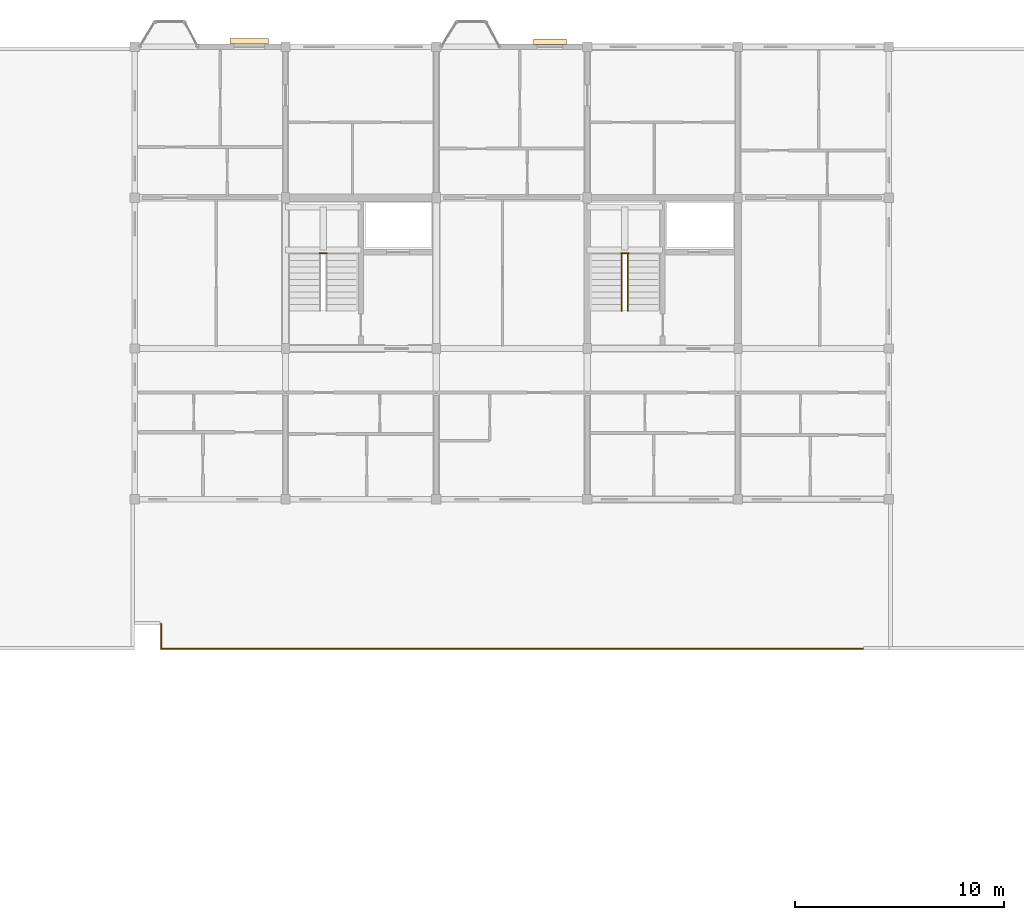
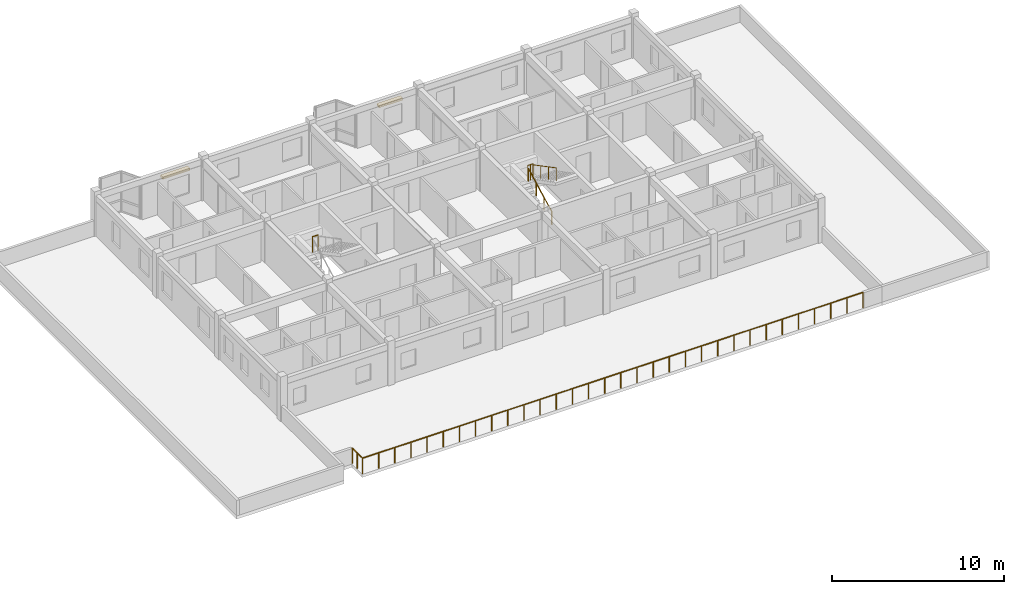
# One storey, part 40 of 40: 5 railings, 2 coverings.
"""IFC4 building model written with IfcOpenShell, lengths in metres."""

from ifc_helpers import new_model, si_unit, direction, frame, origin, origin_2d, place, context, subcontext, project, spatial, rectangle, circle, extrude, material, layer, layer_set, type_object, element, save


model = new_model("IFC4")

# Units and contexts
model_context = context("Model", 3, precision=1e-05, world=origin(), true_north=direction((0.0, 1.0)))
body_context = subcontext(model_context, "Body", "Model", "MODEL_VIEW")
ifc_project = project(units=[si_unit("LENGTHUNIT", "METRE"), si_unit("AREAUNIT", "SQUARE_METRE"), si_unit("VOLUMEUNIT", "CUBIC_METRE"), si_unit("PLANEANGLEUNIT", "RADIAN"), si_unit("MASSUNIT", "GRAM", prefix="KILO"), si_unit("THERMODYNAMICTEMPERATUREUNIT", "KELVIN"), si_unit("POWERUNIT", "WATT")], contexts=[model_context])

# Site, building, storey
site_placement = place(None, origin())
site = spatial("IfcSite", under=ifc_project, at=site_placement, CompositionType="ELEMENT")
building_placement = place(site_placement, origin())
building = spatial("IfcBuilding", under=site, at=building_placement, Name="Tavuni Mirador Residences", CompositionType="ELEMENT")
storey_placement = place(building_placement, frame((0.0, 0.0, 36.0)))
storey = spatial("IfcBuildingStorey", under=building, at=storey_placement, Name="L11", CompositionType="ELEMENT", Elevation=36.0)

# Coverings
ifc_material_1 = material(Name="Natural coral limestone", Category="masonry")
ifc_layer = layer(ifc_material_1, 0.054931640625, Name="Natural coral limestone", Category="masonry")
ifc_layer_set = layer_set([ifc_layer], Name="Natural coral limestone")
covering_type = type_object("IfcCoveringType", Name="CVT-CLAD-CORAL", PredefinedType="CLADDING", material=ifc_layer_set)
covering_1_placement = place(storey_placement, frame((37.822509765625, 173.049560546875, 2.16015625), z_axis=(0.0, 0.0, 1.0), x_axis=(-1.0, 0.0, 0.0)))
element("IfcCovering", 1, at=covering_1_placement, inside=storey, type_object=covering_type, Name="HOOD-0798", PredefinedType="CLADDING", context=body_context, shape_type="SweptSolid", body=[
    extrude(rectangle(XDim=1.580078125, YDim=0.260009765625, at=origin_2d()), origin(), (0.0, 0.0, 1.0), 0.159912109375),
])
covering_2_placement = place(storey_placement, frame((23.472412109375, 173.064453125, 2.16015625), z_axis=(0.0, 0.0, 1.0), x_axis=(-1.0, 0.0, 0.0)))
element("IfcCovering", 2, at=covering_2_placement, inside=storey, type_object=covering_type, Name="HOOD-0799", PredefinedType="CLADDING", context=body_context, shape_type="SweptSolid", body=[
    extrude(rectangle(XDim=1.820068359375, YDim=0.260009765625, at=origin_2d()), origin(), (0.0, 0.0, 1.0), 0.159912109375),
])

# Railings
ifc_material_2 = material(Name="Structural steel S355", Category="steel")
railing_type_1 = type_object("IfcRailingType", Name="RT-GR1120", PredefinedType="GUARDRAIL", material=ifc_material_2)
railing_1_placement = place(storey_placement, frame((19.260009765625, 145.260009765625, 0.0)))
element("IfcRailing", 3, at=railing_1_placement, inside=storey, type_object=railing_type_1, Name="Terrace guard TER-C-L11", PredefinedType="GUARDRAIL", context=body_context, shape_type="SweptSolid", body=[
    extrude(circle(Radius=0.02392578125, at=origin_2d()), frame((0.0, 0.0, 1.09619140625), z_axis=(0.0, -1.0, 0.0), x_axis=(1.0, 0.0, 0.0)), (0.0, 0.0, 1.0), 1.199951171875),
    extrude(circle(Radius=0.02392578125, at=origin_2d()), frame((0.0, -1.199951171875, 1.09619140625), z_axis=(1.0, 0.0, 0.0), x_axis=(0.0, 1.0, 0.0)), (0.0, 0.0, 1.0), 33.510009765625),
    extrude(circle(Radius=0.02099609375, at=origin_2d()), origin(), (0.0, 0.0, 1.0), 1.072021484375),
    extrude(circle(Radius=0.02099609375, at=origin_2d()), frame((0.0, -0.60009765625, 0.0)), (0.0, 0.0, 1.0), 1.072021484375),
    extrude(circle(Radius=0.02099609375, at=origin_2d()), frame((0.0, -1.199951171875, 0.0)), (0.0, 0.0, 1.0), 1.072021484375),
    extrude(circle(Radius=0.02099609375, at=origin_2d()), frame((1.0810546875, -1.199951171875, 0.0)), (0.0, 0.0, 1.0), 1.072021484375),
    extrude(circle(Radius=0.02099609375, at=origin_2d()), frame((2.161865234375, -1.199951171875, 0.0)), (0.0, 0.0, 1.0), 1.072021484375),
    extrude(circle(Radius=0.02099609375, at=origin_2d()), frame((3.242919921875, -1.199951171875, 0.0)), (0.0, 0.0, 1.0), 1.072021484375),
    extrude(circle(Radius=0.02099609375, at=origin_2d()), frame((4.323974609375, -1.199951171875, 0.0)), (0.0, 0.0, 1.0), 1.072021484375),
    extrude(circle(Radius=0.02099609375, at=origin_2d()), frame((5.40478515625, -1.199951171875, 0.0)), (0.0, 0.0, 1.0), 1.072021484375),
    extrude(circle(Radius=0.02099609375, at=origin_2d()), frame((6.48583984375, -1.199951171875, 0.0)), (0.0, 0.0, 1.0), 1.072021484375),
    extrude(circle(Radius=0.02099609375, at=origin_2d()), frame((7.56689453125, -1.199951171875, 0.0)), (0.0, 0.0, 1.0), 1.072021484375),
    extrude(circle(Radius=0.02099609375, at=origin_2d()), frame((8.647705078125, -1.199951171875, 0.0)), (0.0, 0.0, 1.0), 1.072021484375),
    extrude(circle(Radius=0.02099609375, at=origin_2d()), frame((9.728759765625, -1.199951171875, 0.0)), (0.0, 0.0, 1.0), 1.072021484375),
    extrude(circle(Radius=0.02099609375, at=origin_2d()), frame((10.8095703125, -1.199951171875, 0.0)), (0.0, 0.0, 1.0), 1.072021484375),
    extrude(circle(Radius=0.02099609375, at=origin_2d()), frame((11.890625, -1.199951171875, 0.0)), (0.0, 0.0, 1.0), 1.072021484375),
    extrude(circle(Radius=0.02099609375, at=origin_2d()), frame((12.9716796875, -1.199951171875, 0.0)), (0.0, 0.0, 1.0), 1.072021484375),
    extrude(circle(Radius=0.02099609375, at=origin_2d()), frame((14.052490234375, -1.199951171875, 0.0)), (0.0, 0.0, 1.0), 1.072021484375),
    extrude(circle(Radius=0.02099609375, at=origin_2d()), frame((15.133544921875, -1.199951171875, 0.0)), (0.0, 0.0, 1.0), 1.072021484375),
    extrude(circle(Radius=0.02099609375, at=origin_2d()), frame((16.214599609375, -1.199951171875, 0.0)), (0.0, 0.0, 1.0), 1.072021484375),
    extrude(circle(Radius=0.02099609375, at=origin_2d()), frame((17.29541015625, -1.199951171875, 0.0)), (0.0, 0.0, 1.0), 1.072021484375),
    extrude(circle(Radius=0.02099609375, at=origin_2d()), frame((18.37646484375, -1.199951171875, 0.0)), (0.0, 0.0, 1.0), 1.072021484375),
    extrude(circle(Radius=0.02099609375, at=origin_2d()), frame((19.45751953125, -1.199951171875, 0.0)), (0.0, 0.0, 1.0), 1.072021484375),
    extrude(circle(Radius=0.02099609375, at=origin_2d()), frame((20.538330078125, -1.199951171875, 0.0)), (0.0, 0.0, 1.0), 1.072021484375),
    extrude(circle(Radius=0.02099609375, at=origin_2d()), frame((21.619384765625, -1.199951171875, 0.0)), (0.0, 0.0, 1.0), 1.072021484375),
    extrude(circle(Radius=0.02099609375, at=origin_2d()), frame((22.700439453125, -1.199951171875, 0.0)), (0.0, 0.0, 1.0), 1.072021484375),
    extrude(circle(Radius=0.02099609375, at=origin_2d()), frame((23.78125, -1.199951171875, 0.0)), (0.0, 0.0, 1.0), 1.072021484375),
    extrude(circle(Radius=0.02099609375, at=origin_2d()), frame((24.8623046875, -1.199951171875, 0.0)), (0.0, 0.0, 1.0), 1.072021484375),
    extrude(circle(Radius=0.02099609375, at=origin_2d()), frame((25.943115234375, -1.199951171875, 0.0)), (0.0, 0.0, 1.0), 1.072021484375),
    extrude(circle(Radius=0.02099609375, at=origin_2d()), frame((27.024169921875, -1.199951171875, 0.0)), (0.0, 0.0, 1.0), 1.072021484375),
    extrude(circle(Radius=0.02099609375, at=origin_2d()), frame((28.105224609375, -1.199951171875, 0.0)), (0.0, 0.0, 1.0), 1.072021484375),
    extrude(circle(Radius=0.02099609375, at=origin_2d()), frame((29.18603515625, -1.199951171875, 0.0)), (0.0, 0.0, 1.0), 1.072021484375),
    extrude(circle(Radius=0.02099609375, at=origin_2d()), frame((30.26708984375, -1.199951171875, 0.0)), (0.0, 0.0, 1.0), 1.072021484375),
    extrude(circle(Radius=0.02099609375, at=origin_2d()), frame((31.34814453125, -1.199951171875, 0.0)), (0.0, 0.0, 1.0), 1.072021484375),
    extrude(circle(Radius=0.02099609375, at=origin_2d()), frame((32.428955078125, -1.199951171875, 0.0)), (0.0, 0.0, 1.0), 1.072021484375),
    extrude(circle(Radius=0.02099609375, at=origin_2d()), frame((33.510009765625, -1.199951171875, 0.0)), (0.0, 0.0, 1.0), 1.072021484375),
])
railing_2_placement = place(storey_placement, frame((26.820068359375, 162.93994140625, 1.574951171875)))
element("IfcRailing", 4, at=railing_2_placement, inside=storey, type_object=railing_type_1, Name="GRD-HL-ST5-L11", PredefinedType="GUARDRAIL", context=body_context, shape_type="SweptSolid", body=[
    extrude(circle(Radius=0.02392578125, at=origin_2d()), frame((0.0, 0.0, 1.09619140625), z_axis=(1.0, 0.0, 0.0), x_axis=(0.0, 1.0, 0.0)), (0.0, 0.0, 1.0), 0.35986328125),
    extrude(circle(Radius=0.02099609375, at=origin_2d()), origin(), (0.0, 0.0, 1.0), 1.072021484375),
    extrude(circle(Radius=0.02099609375, at=origin_2d()), frame((0.35986328125, 0.0, 0.0)), (0.0, 0.0, 1.0), 1.072021484375),
])
railing_3_placement = place(storey_placement, frame((41.219970703125, 162.93994140625, 1.574951171875)))
element("IfcRailing", 5, at=railing_3_placement, inside=storey, type_object=railing_type_1, Name="GRD-HL-ST6-L11", PredefinedType="GUARDRAIL", context=body_context, shape_type="SweptSolid", body=[
    extrude(circle(Radius=0.02392578125, at=origin_2d()), frame((0.0, 0.0, 1.09619140625), z_axis=(1.0, 0.0, 0.0), x_axis=(0.0, 1.0, 0.0)), (0.0, 0.0, 1.0), 0.360107421875),
    extrude(circle(Radius=0.02099609375, at=origin_2d()), origin(), (0.0, 0.0, 1.0), 1.072021484375),
    extrude(circle(Radius=0.02099609375, at=origin_2d()), frame((0.18017578125, 0.0, 0.0)), (0.0, 0.0, 1.0), 1.072021484375),
    extrude(circle(Radius=0.02099609375, at=origin_2d()), frame((0.360107421875, 0.0, 0.0)), (0.0, 0.0, 1.0), 1.072021484375),
])
railing_type_2 = type_object("IfcRailingType", Name="RT-HR920", PredefinedType="HANDRAIL", material=ifc_material_2)
railing_4_placement = place(storey_placement, frame((41.25, 160.199951171875, 0.157470703125)))
element("IfcRailing", 6, at=railing_4_placement, inside=storey, type_object=railing_type_2, Name="HR-ST6-L11-F1", PredefinedType="HANDRAIL", context=body_context, shape_type="SweptSolid", body=[
    extrude(circle(Radius=0.02392578125, at=origin_2d()), frame((0.0, 0.0, 0.89599609375), z_axis=(0.0, 0.885397079081, 0.464835468048), x_axis=(-1.0, 0.0, 0.0)), (0.0, 0.0, 1.0), 3.04931640625),
    extrude(circle(Radius=0.02099609375, at=origin_2d()), origin(), (0.0, 0.0, 1.0), 0.871826171875),
    extrude(circle(Radius=0.02099609375, at=origin_2d()), frame((0.0, 0.89990234375, 0.472412109375)), (0.0, 0.0, 1.0), 0.871826171875),
    extrude(circle(Radius=0.02099609375, at=origin_2d()), frame((0.0, 1.800048828125, 0.945068359375)), (0.0, 0.0, 1.0), 0.871826171875),
    extrude(circle(Radius=0.02099609375, at=origin_2d()), frame((0.0, 2.699951171875, 1.41748046875)), (0.0, 0.0, 1.0), 0.871826171875),
])
railing_5_placement = place(storey_placement, frame((41.550048828125, 162.89990234375, 1.732421875)))
element("IfcRailing", 7, at=railing_5_placement, inside=storey, type_object=railing_type_2, Name="HR-ST6-L11-F2", PredefinedType="HANDRAIL", context=body_context, shape_type="SweptSolid", body=[
    extrude(circle(Radius=0.02392578125, at=origin_2d()), frame((0.0, 0.0, 0.89599609375), z_axis=(0.0, -0.885397079081, 0.464835468048), x_axis=(1.0, 0.0, 0.0)), (0.0, 0.0, 1.0), 3.04931640625),
    extrude(circle(Radius=0.02099609375, at=origin_2d()), origin(), (0.0, 0.0, 1.0), 0.871826171875),
    extrude(circle(Radius=0.02099609375, at=origin_2d()), frame((0.0, -0.89990234375, 0.472412109375)), (0.0, 0.0, 1.0), 0.871826171875),
    extrude(circle(Radius=0.02099609375, at=origin_2d()), frame((0.0, -1.800048828125, 0.945068359375)), (0.0, 0.0, 1.0), 0.871826171875),
    extrude(circle(Radius=0.02099609375, at=origin_2d()), frame((0.0, -2.699951171875, 1.41748046875)), (0.0, 0.0, 1.0), 0.871826171875),
])

save(model, "model.ifc")
